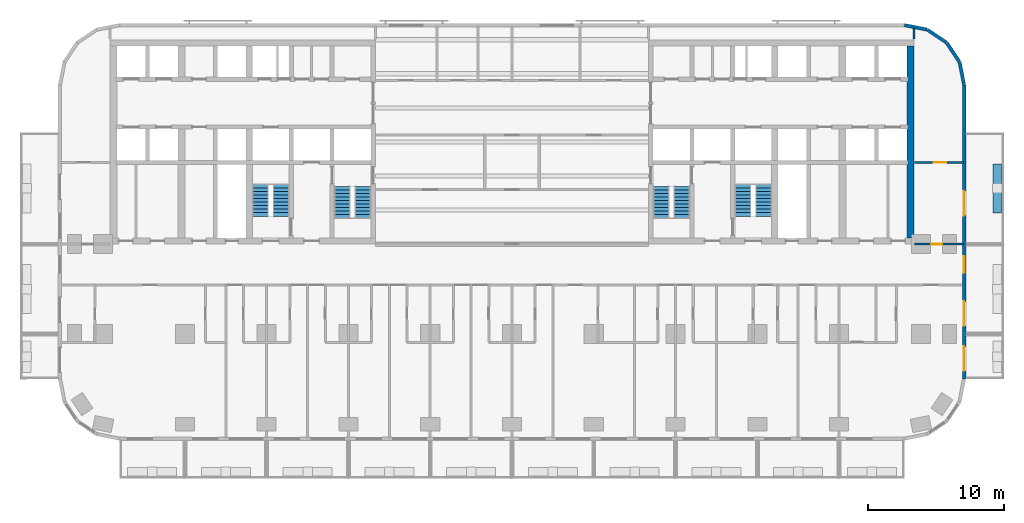
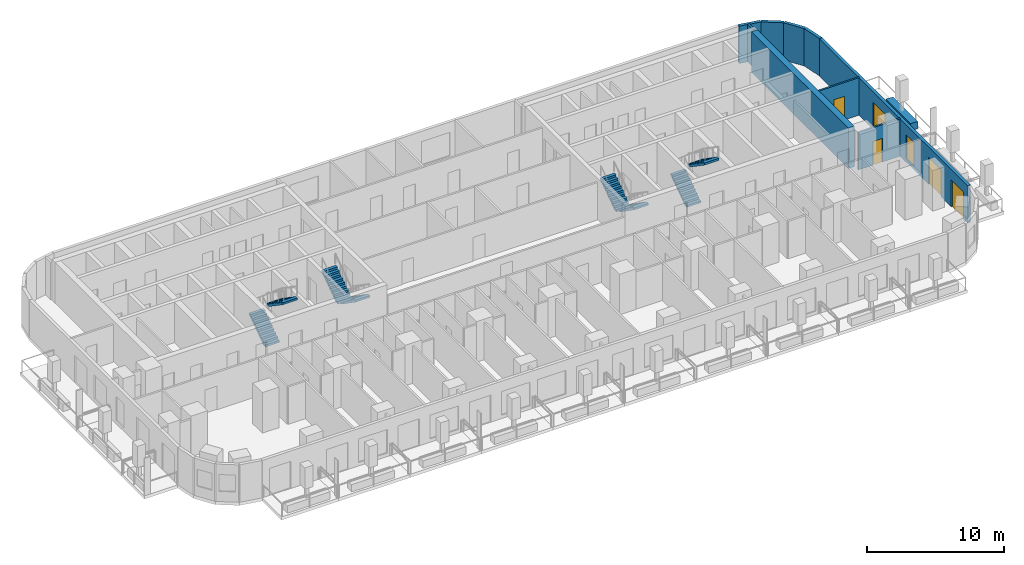
# One storey, part 9 of 14: 10 walls, 8 stair flights, 5 doors, 1 window, 6 openings, 4 elements without a shape of their own.
"""IFC4 building model written with IfcOpenShell, lengths in metres."""

from ifc_helpers import new_model, si_unit, direction, frame, frame_2d, origin, place, context, subcontext, project, spatial, polyline, rectangle, outline, extrude, material, layer, layer_set, type_object, element, fill, aggregate, save


model = new_model("IFC4")

# Units and contexts
model_context = context("Model", 3, precision=1e-05, world=origin(), true_north=direction((0.0, 1.0)))
body_context = subcontext(model_context, "Body", "Model", "MODEL_VIEW")
ifc_project = project(units=[si_unit("LENGTHUNIT", "METRE"), si_unit("AREAUNIT", "SQUARE_METRE"), si_unit("VOLUMEUNIT", "CUBIC_METRE"), si_unit("PLANEANGLEUNIT", "RADIAN"), si_unit("MASSUNIT", "GRAM", prefix="KILO")], contexts=[model_context])

# Site, building, storey
site_placement = place(None, origin())
site = spatial("IfcSite", under=ifc_project, at=site_placement, CompositionType="ELEMENT")
building_placement = place(site_placement, origin())
building = spatial("IfcBuilding", under=site, at=building_placement, Name="Torana Hotel and Residences", CompositionType="ELEMENT")
storey_placement = place(building_placement, frame((0.0, 0.0, 38.39990234375)))
storey = spatial("IfcBuildingStorey", under=building, at=storey_placement, Name="L08", CompositionType="ELEMENT", Elevation=38.39990234375)

# Walls
ifc_material_1 = material(Name="Concrete C80/95", Category="concrete")
ifc_layer_1 = layer(ifc_material_1, 0.5)
ifc_layer_set_1 = layer_set([ifc_layer_1], Name="CORE WALL 500 C80/95")
wall_type_1 = type_object("IfcWallType", Name="CORE WALL 500 C80/95", PredefinedType="SHEAR", material=ifc_layer_set_1)
wall_1_placement = place(storey_placement, frame((29.25, -14.550048828125, 0.0), z_axis=(0.0, 0.0, 1.0), x_axis=(0.0, 1.0, 0.0)))
element("IfcWall", 1, at=wall_1_placement, inside=storey, type_object=wall_type_1, Name="Core wall E outer", PredefinedType="SHEAR", context=body_context, shape_type="SweptSolid", body=[
    extrude(rectangle(XDim=14.10009765625, YDim=0.5, at=frame_2d((7.050048828125, 0.0))), origin(), (0.0, 0.0, 1.0), 3.60009765625),
])
ifc_material_2 = material(Name="Black aluminium composite panel", Category="aluminium")
ifc_layer_2 = layer(ifc_material_2, 0.00390625, Name="Cladding", Category="cladding")
ifc_material_3 = material(Name="Ventilated air cavity")
ifc_layer_3 = layer(ifc_material_3, 0.0400390625, Name="Ventilated cavity", Category="cavity")
ifc_material_4 = material(Name="Mineral wool insulation")
ifc_layer_4 = layer(ifc_material_4, 0.090087890625, Name="Insulation", Category="insulation")
ifc_material_5 = material(Name="Steel S280GD", Category="steel")
ifc_layer_5 = layer(ifc_material_5, 0.092041015625, Name="Steel stud frame", Category="structure")
ifc_material_6 = material(Name="Fire rated plasterboard")
ifc_layer_6 = layer(ifc_material_6, 0.011962890625, Name="Inner board", Category="finish")
ifc_layer_7 = layer(ifc_material_6, 0.011962890625, Name="Second board", Category="finish")
ifc_layer_set_2 = layer_set([ifc_layer_2, ifc_layer_3, ifc_layer_4, ifc_layer_5, ifc_layer_6, ifc_layer_7], Name="EW1 EXTERNAL WALL BLACK METAL CLAD 250")
wall_type_2 = type_object("IfcWallType", Name="EW1 EXTERNAL WALL BLACK METAL CLAD 250", PredefinedType="SOLIDWALL", material=ifc_layer_set_2)
wall_2_placement = place(storey_placement, frame((33.172607421875, -3.30029296875, 0.0), z_axis=(0.0, 0.0, 1.0), x_axis=(-0.19513878023, 0.980775640221, 0.0)))
element("IfcWall", 2, at=wall_2_placement, inside=storey, type_object=wall_type_2, Name="External wall L08 e0.0", PredefinedType="SOLIDWALL", context=body_context, shape_type="SweptSolid", body=[
    extrude(rectangle(XDim=1.681396484375, YDim=0.25, at=frame_2d((0.8408203125, 0.0))), origin(), (0.0, 0.0, 1.0), 3.320068359375),
])
for number, where, z_axis, x_axis, name in (
    (3, (32.825927734375, -1.60595703125, 0.0), (0.0, 0.0, 1.0), (-0.55555029066, 0.831482937015, 0.0), "External wall L08 e0.1"),
    (4, (31.87109375, -0.1943359375, 0.0), (0.0, 0.0, 1.0), (-0.831482937015, 0.55555029066, 0.0), "External wall L08 e0.2"),
):
    element("IfcWall", number, at=place(storey_placement, frame(where, z_axis=z_axis, x_axis=x_axis)), inside=storey, type_object=wall_type_2, Name=name, PredefinedType="SOLIDWALL", context=body_context, shape_type="SweptSolid", body=[
        extrude(rectangle(XDim=1.65625, YDim=0.25, at=frame_2d((0.828125, 0.0))), origin(), (0.0, 0.0, 1.0), 3.320068359375),
    ])
wall_3_placement = place(storey_placement, frame((30.448974609375, 0.74462890625, 0.0), z_axis=(0.0, 0.0, 1.0), x_axis=(-0.980803419081, 0.194999110559, 0.0)))
element("IfcWall", 5, at=wall_3_placement, inside=storey, type_object=wall_type_2, Name="External wall L08 e0.3", PredefinedType="SOLIDWALL", context=body_context, shape_type="SweptSolid", body=[
    extrude(rectangle(XDim=1.681396484375, YDim=0.25, at=frame_2d((0.8408203125, 0.0))), origin(), (0.0, 0.0, 1.0), 3.320068359375),
])

# Wall, openings, doors, window
wall_4_placement = place(storey_placement, frame((33.175048828125, -24.87548828125, 0.0), z_axis=(0.0, 0.0, 1.0), x_axis=(0.0, 1.0, 0.0)))
wall_4 = element("IfcWall", 6, at=wall_4_placement, inside=storey, type_object=wall_type_2, Name="External wall L08 e0.19", PredefinedType="SOLIDWALL", context=body_context, shape_type="SweptSolid", body=[
    extrude(rectangle(XDim=21.55078125, YDim=0.25, at=frame_2d((10.775390625, 0.0))), origin(), (0.0, 0.0, 1.0), 3.320068359375),
])
opening_1_placement = place(wall_4_placement, frame((0.575439453125, 0.0, 0.0)))
opening_1 = element("IfcOpeningElement", 7, at=opening_1_placement, cuts=wall_4, Name="Opening L08-E11", PredefinedType="OPENING", context=body_context, shape_type="SweptSolid", body=[
    extrude(rectangle(XDim=1.800048828125, YDim=2.39990234375, at=frame_2d((0.89990234375, 1.199951171875))), frame((0.0, 0.135009765625, 0.0), z_axis=(0.0, -1.0, 0.0), x_axis=(1.0, 0.0, 0.0)), (0.0, 0.0, 1.0), 0.27001953125),
])
opening_2_placement = place(wall_4_placement, frame((3.87548828125, 0.0, 0.0)))
opening_2 = element("IfcOpeningElement", 8, at=opening_2_placement, cuts=wall_4, Name="Opening L08-E12", PredefinedType="OPENING", context=body_context, shape_type="SweptSolid", body=[
    extrude(rectangle(XDim=1.800048828125, YDim=2.39990234375, at=frame_2d((0.89990234375, 1.199951171875))), frame((0.0, 0.135009765625, 0.0), z_axis=(0.0, -1.0, 0.0), x_axis=(1.0, 0.0, 0.0)), (0.0, 0.0, 1.0), 0.27001953125),
])
opening_3_placement = place(wall_4_placement, frame((7.775390625, 0.0, 0.300048828125)))
opening_3 = element("IfcOpeningElement", 9, at=opening_3_placement, cuts=wall_4, Name="Opening W7", PredefinedType="OPENING", context=body_context, shape_type="SweptSolid", body=[
    extrude(rectangle(XDim=1.199951171875, YDim=2.10009765625, at=frame_2d((0.60009765625, 1.050048828125))), frame((0.0, 0.135009765625, 0.0), z_axis=(0.0, -1.0, 0.0), x_axis=(1.0, 0.0, 0.0)), (0.0, 0.0, 1.0), 0.27001953125),
])
opening_4_placement = place(wall_4_placement, frame((11.975341796875, 0.0, 0.0)))
opening_4 = element("IfcOpeningElement", 10, at=opening_4_placement, cuts=wall_4, Name="Opening L08-E13", PredefinedType="OPENING", context=body_context, shape_type="SweptSolid", body=[
    extrude(rectangle(XDim=1.800048828125, YDim=2.39990234375, at=frame_2d((0.89990234375, 1.199951171875))), frame((0.0, 0.135009765625, 0.0), z_axis=(0.0, -1.0, 0.0), x_axis=(1.0, 0.0, 0.0)), (0.0, 0.0, 1.0), 0.27001953125),
])
ifc_material_7 = material(Name="Dark glass in black aluminium frame", Category="aluminium")
door_type_1 = type_object("IfcDoorType", Name="DB1 BALCONY DOOR 1800x2400", OperationType="DOUBLE_DOOR_SINGLE_SWING", PredefinedType="DOOR", material=ifc_material_7)
door_1_placement = place(opening_1_placement, origin())
door_1 = element("IfcDoor", 11, at=door_1_placement, inside=storey, type_object=door_type_1, Name="Balcony door L08", OperationType="DOUBLE_DOOR_SINGLE_SWING", OverallHeight=2.39990234375, OverallWidth=1.800048828125, PredefinedType="DOOR", context=body_context, shape_type="SweptSolid", body=[
    extrude(rectangle(XDim=1.800048828125, YDim=2.39990234375, at=frame_2d((0.89990234375, 1.199951171875))), frame((0.0, 0.02490234375, 0.0), z_axis=(0.0, -1.0, 0.0), x_axis=(1.0, 0.0, 0.0)), (0.0, 0.0, 1.0), 0.050048828125),
])
fill(opening_1, door_1)
door_2_placement = place(opening_2_placement, frame((0.89990234375, 0.0, 0.0), z_axis=(0.0, 0.0, 1.0), x_axis=(-1.0, 0.0, 0.0)))
door_2 = element("IfcDoor", 12, at=door_2_placement, inside=storey, type_object=door_type_1, Name="Balcony door L08", OperationType="DOUBLE_DOOR_SINGLE_SWING", OverallHeight=2.39990234375, OverallWidth=1.800048828125, PredefinedType="DOOR", context=body_context, shape_type="SweptSolid", body=[
    extrude(rectangle(XDim=1.800048828125, YDim=2.39990234375, at=frame_2d((0.0, 1.199951171875))), frame((0.0, -0.02490234375, 0.0), z_axis=(0.0, 1.0, 0.0), x_axis=(-1.0, 0.0, 0.0)), (0.0, 0.0, 1.0), 0.050048828125),
])
fill(opening_2, door_2)
door_3_placement = place(opening_4_placement, origin())
door_3 = element("IfcDoor", 13, at=door_3_placement, inside=storey, type_object=door_type_1, Name="Balcony door L08", OperationType="DOUBLE_DOOR_SINGLE_SWING", OverallHeight=2.39990234375, OverallWidth=1.800048828125, PredefinedType="DOOR", context=body_context, shape_type="SweptSolid", body=[
    extrude(rectangle(XDim=1.800048828125, YDim=2.39990234375, at=frame_2d((0.89990234375, 1.199951171875))), frame((0.0, 0.02490234375, 0.0), z_axis=(0.0, -1.0, 0.0), x_axis=(1.0, 0.0, 0.0)), (0.0, 0.0, 1.0), 0.050048828125),
])
fill(opening_4, door_3)
ifc_material_8 = material(Name="Dark glass in black aluminium frame", Category="aluminium")
window_type = type_object("IfcWindowType", Name="W7 HOTEL CORRIDOR WINDOW 1200x2100", PartitioningType="SINGLE_PANEL", PredefinedType="WINDOW", material=ifc_material_8)
window_placement = place(opening_3_placement, origin())
window = element("IfcWindow", 14, at=window_placement, inside=storey, type_object=window_type, Name="Window L08", OverallHeight=2.10009765625, OverallWidth=1.199951171875, PartitioningType="SINGLE_PANEL", PredefinedType="WINDOW", context=body_context, shape_type="SweptSolid", body=[
    extrude(rectangle(XDim=1.199951171875, YDim=2.10009765625, at=frame_2d((0.60009765625, 1.050048828125))), frame((0.0, 0.030029296875, 0.0), z_axis=(0.0, -1.0, 0.0), x_axis=(1.0, 0.0, 0.0)), (0.0, 0.0, 1.0), 0.06005859375),
])
fill(opening_3, window)

# Wall, opening, door
ifc_material_9 = material(Name="Gypsum plaster")
ifc_layer_8 = layer(ifc_material_9, 0.014892578125, Name="Plaster", Category="finish")
ifc_material_10 = material(Name="Concrete blockwork", Category="masonry")
ifc_layer_9 = layer(ifc_material_10, 0.1201171875, Name="Blockwork", Category="structure")
ifc_layer_10 = layer(ifc_material_9, 0.014892578125, Name="Plaster", Category="finish")
ifc_layer_set_3 = layer_set([ifc_layer_8, ifc_layer_9, ifc_layer_10], Name="FIRE PARTITION 150 BLOCKWORK")
wall_type_3 = type_object("IfcWallType", Name="FIRE PARTITION 150 BLOCKWORK", PredefinedType="PARTITIONING", material=ifc_layer_set_3)
wall_5_placement = place(storey_placement, frame((29.550048828125, -15.0, 0.0), z_axis=(0.0, 0.0, 1.0), x_axis=(1.0, 0.0, 0.0)))
wall_5 = element("IfcWall", 15, at=wall_5_placement, inside=storey, type_object=wall_type_3, Name="Partition L08", PredefinedType="PARTITIONING", context=body_context, shape_type="SweptSolid", body=[
    extrude(rectangle(XDim=3.570068359375, YDim=0.14990234375, at=frame_2d((1.78515625, 0.0))), origin(), (0.0, 0.0, 1.0), 3.320068359375),
])
opening_5_placement = place(wall_5_placement, frame((1.205078125, 0.0, 0.0)))
opening_5 = element("IfcOpeningElement", 16, at=opening_5_placement, cuts=wall_5, Name="Opening L08-54", PredefinedType="OPENING", context=body_context, shape_type="SweptSolid", body=[
    extrude(rectangle(XDim=0.800048828125, YDim=2.10009765625, at=frame_2d((0.39990234375, 1.050048828125))), frame((0.0, 0.0849609375, 0.0), z_axis=(0.0, -1.0, 0.0), x_axis=(1.0, 0.0, 0.0)), (0.0, 0.0, 1.0), 0.169921875),
])
ifc_material_11 = material(Name="Steel S235", Category="steel")
door_type_2 = type_object("IfcDoorType", Name="STORE FIRE DOOR D16 800x2100", OperationType="SINGLE_SWING_LEFT", PredefinedType="DOOR", material=ifc_material_11)
door_4_placement = place(opening_5_placement, origin())
door_4 = element("IfcDoor", 17, at=door_4_placement, inside=storey, type_object=door_type_2, Name="Door L08", OperationType="SINGLE_SWING_RIGHT", OverallHeight=2.10009765625, OverallWidth=0.800048828125, PredefinedType="DOOR", context=body_context, shape_type="SweptSolid", body=[
    extrude(rectangle(XDim=0.800048828125, YDim=2.10009765625, at=frame_2d((0.39990234375, 1.050048828125))), frame((0.0, 0.02490234375, 0.0), z_axis=(0.0, -1.0, 0.0), x_axis=(1.0, 0.0, 0.0)), (0.0, 0.0, 1.0), 0.050048828125),
])
fill(opening_5, door_4)

# Wall
ifc_material_12 = material(Name="Gypsum plasterboard")
ifc_layer_11 = layer(ifc_material_12, 0.012451171875, Name="Plasterboard", Category="finish")
ifc_layer_12 = layer(ifc_material_12, 0.012451171875, Name="Plasterboard", Category="finish")
ifc_layer_13 = layer(ifc_material_5, 0.10009765625, Name="Steel studs with mineral wool", Category="insulation")
ifc_layer_14 = layer(ifc_material_12, 0.012451171875, Name="Plasterboard", Category="finish")
ifc_layer_15 = layer(ifc_material_12, 0.012451171875, Name="Plasterboard", Category="finish")
ifc_layer_set_4 = layer_set([ifc_layer_11, ifc_layer_12, ifc_layer_13, ifc_layer_14, ifc_layer_15], Name="PARTITION 150 PLASTERBOARD")
wall_type_4 = type_object("IfcWallType", Name="PARTITION 150 PLASTERBOARD", PredefinedType="PARTITIONING", material=ifc_layer_set_4)
wall_6_placement = place(storey_placement, frame((29.5, 0.050048828125, 0.0), z_axis=(0.0, 0.0, 1.0), x_axis=(0.0, 1.0, 0.0)))
element("IfcWall", 18, at=wall_6_placement, inside=storey, type_object=wall_type_4, Name="Partition L08", PredefinedType="PARTITIONING", context=body_context, shape_type="SweptSolid", body=[
    extrude(rectangle(XDim=0.8271484375, YDim=0.14990234375, at=frame_2d((0.41357421875, 0.0))), origin(), (0.0, 0.0, 1.0), 3.320068359375),
])

# Wall, opening, door
wall_7_placement = place(storey_placement, frame((29.550048828125, -9.0, 0.0), z_axis=(0.0, 0.0, 1.0), x_axis=(1.0, 0.0, 0.0)))
wall_7 = element("IfcWall", 19, at=wall_7_placement, inside=storey, type_object=wall_type_4, Name="Partition L08", PredefinedType="PARTITIONING", context=body_context, shape_type="SweptSolid", body=[
    extrude(rectangle(XDim=3.570068359375, YDim=0.14990234375, at=frame_2d((1.78515625, 0.0))), origin(), (0.0, 0.0, 1.0), 3.320068359375),
])
opening_6_placement = place(wall_7_placement, frame((1.39990234375, 0.0, 0.0)))
opening_6 = element("IfcOpeningElement", 20, at=opening_6_placement, cuts=wall_7, Name="Opening L08-83", PredefinedType="OPENING", context=body_context, shape_type="SweptSolid", body=[
    extrude(rectangle(XDim=0.89990234375, YDim=2.10009765625, at=frame_2d((0.449951171875, 1.050048828125))), frame((0.0, 0.0849609375, 0.0), z_axis=(0.0, -1.0, 0.0), x_axis=(1.0, 0.0, 0.0)), (0.0, 0.0, 1.0), 0.169921875),
])
ifc_material_13 = material(Name="Timber door, oiled ash", Category="wood")
door_type_3 = type_object("IfcDoorType", Name="ROOM DOOR D7 900x2100", OperationType="SINGLE_SWING_LEFT", PredefinedType="DOOR", material=ifc_material_13)
door_5_placement = place(opening_6_placement, origin())
door_5 = element("IfcDoor", 21, at=door_5_placement, inside=storey, type_object=door_type_3, Name="Door L08", OperationType="SINGLE_SWING_LEFT", OverallHeight=2.10009765625, OverallWidth=0.89990234375, PredefinedType="DOOR", context=body_context, shape_type="SweptSolid", body=[
    extrude(rectangle(XDim=0.89990234375, YDim=2.10009765625, at=frame_2d((0.449951171875, 1.050048828125))), frame((0.0, 0.02490234375, 0.0), z_axis=(0.0, -1.0, 0.0), x_axis=(1.0, 0.0, 0.0)), (0.0, 0.0, 1.0), 0.050048828125),
])
fill(opening_6, door_5)

# Wall
ifc_material_14 = material(Name="Concrete C40/50 precast", Category="concrete")
ifc_layer_16 = layer(ifc_material_14, 0.10009765625, Name="Planter shell", Category="structure")
ifc_material_15 = material(Name="Root resistant membrane")
ifc_layer_17 = layer(ifc_material_15, 0.00390625, Name="Waterproofing membrane", Category="membrane")
ifc_material_16 = material(Name="Drainage board with filter fleece")
ifc_layer_18 = layer(ifc_material_16, 0.02001953125, Name="Drainage board", Category="drainage")
ifc_material_17 = material(Name="Growing medium")
ifc_layer_19 = layer(ifc_material_17, 0.47607421875, Name="Planting substrate", Category="soil")
ifc_layer_set_5 = layer_set([ifc_layer_16, ifc_layer_17, ifc_layer_18, ifc_layer_19], Name="PL1 BALCONY PLANTER 600")
wall_type_5 = type_object("IfcWallType", Name="PL1 BALCONY PLANTER 600", PredefinedType="USERDEFINED", material=ifc_layer_set_5)
wall_8_placement = place(storey_placement, frame((35.60009765625, -9.10009765625, 0.0), z_axis=(0.0, 0.0, 1.0), x_axis=(0.0, -1.0, 0.0)))
element("IfcWall", 22, at=wall_8_placement, inside=storey, type_object=wall_type_5, Name="Planter 16", ObjectType="PLANTER", PredefinedType="USERDEFINED", context=body_context, shape_type="SweptSolid", body=[
    extrude(rectangle(XDim=3.599853515625, YDim=0.60009765625, at=frame_2d((1.7998046875, 0.0))), origin(), (0.0, 0.0, 1.0), 0.650146484375),
])

# Stair, stair flights
ifc_material_18 = material(Name="Concrete C40/50 precast", Category="concrete")
stair_type_1 = type_object("IfcStairType", Name="STAIR ST1 HALF TURN 1200", PredefinedType="HALF_TURN_STAIR", material=ifc_material_18)
stair_1_placement = place(storey_placement, origin())
stair_1 = element("IfcStair", 23, at=stair_1_placement, inside=storey, type_object=stair_type_1, Name="Stair ST1 L08", PredefinedType="HALF_TURN_STAIR")
ifc_material_19 = material(Name="Concrete C40/50 precast", Category="concrete")
stair_flight_type = type_object("IfcStairFlightType", Name="STAIR FLIGHT 1200 PRECAST", PredefinedType="STRAIGHT", material=ifc_material_19)
stair_flight_1_placement = place(storey_placement, frame((-10.949951171875, -10.75, 0.0), z_axis=(0.0, 0.0, 1.0), x_axis=(0.0, -1.0, 0.0)))
stair_flight_1 = element("IfcStairFlight", 24, at=stair_flight_1_placement, type_object=stair_flight_type, Name="ST1 flight 1", NumberOfRisers=10, NumberOfTreads=9, PredefinedType="STRAIGHT", RiserHeight=0.18, TreadLength=0.26, context=body_context, shape_type="SweptSolid", body=[
    extrude(outline(polyline([(0.0, 0.0), (0.0, 0.179931640625), (0.260009765625, 0.179931640625), (0.260009765625, 0.360107421875), (0.52001953125, 0.360107421875), (0.52001953125, 0.5400390625), (0.780029296875, 0.5400390625), (0.780029296875, 0.719970703125), (1.0400390625, 0.719970703125), (1.0400390625, 0.89990234375), (1.300048828125, 0.89990234375), (1.300048828125, 1.080078125), (1.56005859375, 1.080078125), (1.56005859375, 1.260009765625), (1.820068359375, 1.260009765625), (1.820068359375, 1.43994140625), (2.080078125, 1.43994140625), (2.080078125, 1.6201171875), (2.340087890625, 1.6201171875), (2.340087890625, 1.800048828125), (2.340087890625, 1.437744140625), (0.263427734375, 0.0), (0.0, 0.0)])), frame((0.0, 0.60009765625, 0.0), z_axis=(0.0, -1.0, 0.0), x_axis=(1.0, 0.0, 0.0)), (0.0, 0.0, 1.0), 1.199951171875),
])
stair_flight_2_placement = place(storey_placement, frame((-12.449951171875, -13.090087890625, 1.800048828125), z_axis=(0.0, 0.0, 1.0), x_axis=(0.0, 1.0, 0.0)))
stair_flight_2 = element("IfcStairFlight", 25, at=stair_flight_2_placement, type_object=stair_flight_type, Name="ST1 flight 2", NumberOfRisers=10, NumberOfTreads=9, PredefinedType="STRAIGHT", RiserHeight=0.18, TreadLength=0.26, context=body_context, shape_type="SweptSolid", body=[
    extrude(outline(polyline([(0.0, 0.0), (0.0, 0.179931640625), (0.260009765625, 0.179931640625), (0.260009765625, 0.360107421875), (0.52001953125, 0.360107421875), (0.52001953125, 0.5400390625), (0.780029296875, 0.5400390625), (0.780029296875, 0.719970703125), (1.0400390625, 0.719970703125), (1.0400390625, 0.89990234375), (1.300048828125, 0.89990234375), (1.300048828125, 1.080078125), (1.56005859375, 1.080078125), (1.56005859375, 1.260009765625), (1.820068359375, 1.260009765625), (1.820068359375, 1.43994140625), (2.080078125, 1.43994140625), (2.080078125, 1.6201171875), (2.340087890625, 1.6201171875), (2.340087890625, 1.800048828125), (2.340087890625, 1.437744140625), (0.263427734375, 0.0), (0.0, 0.0)])), frame((0.0, 0.60009765625, 0.0), z_axis=(0.0, -1.0, 0.0), x_axis=(1.0, 0.0, 0.0)), (0.0, 0.0, 1.0), 1.199951171875),
])
aggregate(stair_1, [stair_flight_1, stair_flight_2])

ifc_material_20 = material(Name="Concrete C40/50 precast", Category="concrete")
stair_type_2 = type_object("IfcStairType", Name="STAIR ST2 HALF TURN 1200", PredefinedType="HALF_TURN_STAIR", material=ifc_material_20)
stair_2_placement = place(storey_placement, origin())
stair_2 = element("IfcStair", 26, at=stair_2_placement, inside=storey, type_object=stair_type_2, Name="Stair ST2 L08", PredefinedType="HALF_TURN_STAIR")
stair_flight_3_placement = place(storey_placement, frame((-18.449951171875, -12.949951171875, 0.0), z_axis=(0.0, 0.0, 1.0), x_axis=(0.0, 1.0, 0.0)))
stair_flight_3 = element("IfcStairFlight", 27, at=stair_flight_3_placement, type_object=stair_flight_type, Name="ST2 flight 1", NumberOfRisers=10, NumberOfTreads=9, PredefinedType="STRAIGHT", RiserHeight=0.18, TreadLength=0.26, context=body_context, shape_type="SweptSolid", body=[
    extrude(outline(polyline([(0.0, 0.0), (0.0, 0.179931640625), (0.260009765625, 0.179931640625), (0.260009765625, 0.360107421875), (0.52001953125, 0.360107421875), (0.52001953125, 0.5400390625), (0.780029296875, 0.5400390625), (0.780029296875, 0.719970703125), (1.0400390625, 0.719970703125), (1.0400390625, 0.89990234375), (1.300048828125, 0.89990234375), (1.300048828125, 1.080078125), (1.56005859375, 1.080078125), (1.56005859375, 1.260009765625), (1.820068359375, 1.260009765625), (1.820068359375, 1.43994140625), (2.080078125, 1.43994140625), (2.080078125, 1.6201171875), (2.340087890625, 1.6201171875), (2.340087890625, 1.800048828125), (2.340087890625, 1.437744140625), (0.263427734375, 0.0), (0.0, 0.0)])), frame((0.0, 0.60009765625, 0.0), z_axis=(0.0, -1.0, 0.0), x_axis=(1.0, 0.0, 0.0)), (0.0, 0.0, 1.0), 1.199951171875),
])
stair_flight_4_placement = place(storey_placement, frame((-16.949951171875, -10.610107421875, 1.800048828125), z_axis=(0.0, 0.0, 1.0), x_axis=(0.0, -1.0, 0.0)))
stair_flight_4 = element("IfcStairFlight", 28, at=stair_flight_4_placement, type_object=stair_flight_type, Name="ST2 flight 2", NumberOfRisers=10, NumberOfTreads=9, PredefinedType="STRAIGHT", RiserHeight=0.18, TreadLength=0.26, context=body_context, shape_type="SweptSolid", body=[
    extrude(outline(polyline([(0.0, 0.0), (0.0, 0.179931640625), (0.260009765625, 0.179931640625), (0.260009765625, 0.360107421875), (0.52001953125, 0.360107421875), (0.52001953125, 0.5400390625), (0.780029296875, 0.5400390625), (0.780029296875, 0.719970703125), (1.0400390625, 0.719970703125), (1.0400390625, 0.89990234375), (1.300048828125, 0.89990234375), (1.300048828125, 1.080078125), (1.56005859375, 1.080078125), (1.56005859375, 1.260009765625), (1.820068359375, 1.260009765625), (1.820068359375, 1.43994140625), (2.080078125, 1.43994140625), (2.080078125, 1.6201171875), (2.340087890625, 1.6201171875), (2.340087890625, 1.800048828125), (2.340087890625, 1.437744140625), (0.263427734375, 0.0), (0.0, 0.0)])), frame((0.0, 0.60009765625, 0.0), z_axis=(0.0, -1.0, 0.0), x_axis=(1.0, 0.0, 0.0)), (0.0, 0.0, 1.0), 1.199951171875),
])
aggregate(stair_2, [stair_flight_3, stair_flight_4])

ifc_material_21 = material(Name="Concrete C40/50 precast", Category="concrete")
stair_type_3 = type_object("IfcStairType", Name="STAIR ST3 HALF TURN 1200", PredefinedType="HALF_TURN_STAIR", material=ifc_material_21)
stair_3_placement = place(storey_placement, origin())
stair_3 = element("IfcStair", 29, at=stair_3_placement, inside=storey, type_object=stair_type_3, Name="Stair ST3 L08", PredefinedType="HALF_TURN_STAIR")
stair_flight_5_placement = place(storey_placement, frame((12.449951171875, -10.75, 0.0), z_axis=(0.0, 0.0, 1.0), x_axis=(0.0, -1.0, 0.0)))
stair_flight_5 = element("IfcStairFlight", 30, at=stair_flight_5_placement, type_object=stair_flight_type, Name="ST3 flight 1", NumberOfRisers=10, NumberOfTreads=9, PredefinedType="STRAIGHT", RiserHeight=0.18, TreadLength=0.26, context=body_context, shape_type="SweptSolid", body=[
    extrude(outline(polyline([(0.0, 0.0), (0.0, 0.179931640625), (0.260009765625, 0.179931640625), (0.260009765625, 0.360107421875), (0.52001953125, 0.360107421875), (0.52001953125, 0.5400390625), (0.780029296875, 0.5400390625), (0.780029296875, 0.719970703125), (1.0400390625, 0.719970703125), (1.0400390625, 0.89990234375), (1.300048828125, 0.89990234375), (1.300048828125, 1.080078125), (1.56005859375, 1.080078125), (1.56005859375, 1.260009765625), (1.820068359375, 1.260009765625), (1.820068359375, 1.43994140625), (2.080078125, 1.43994140625), (2.080078125, 1.6201171875), (2.340087890625, 1.6201171875), (2.340087890625, 1.800048828125), (2.340087890625, 1.437744140625), (0.263427734375, 0.0), (0.0, 0.0)])), frame((0.0, 0.60009765625, 0.0), z_axis=(0.0, -1.0, 0.0), x_axis=(1.0, 0.0, 0.0)), (0.0, 0.0, 1.0), 1.199951171875),
])
stair_flight_6_placement = place(storey_placement, frame((10.949951171875, -13.090087890625, 1.800048828125), z_axis=(0.0, 0.0, 1.0), x_axis=(0.0, 1.0, 0.0)))
stair_flight_6 = element("IfcStairFlight", 31, at=stair_flight_6_placement, type_object=stair_flight_type, Name="ST3 flight 2", NumberOfRisers=10, NumberOfTreads=9, PredefinedType="STRAIGHT", RiserHeight=0.18, TreadLength=0.26, context=body_context, shape_type="SweptSolid", body=[
    extrude(outline(polyline([(0.0, 0.0), (0.0, 0.179931640625), (0.260009765625, 0.179931640625), (0.260009765625, 0.360107421875), (0.52001953125, 0.360107421875), (0.52001953125, 0.5400390625), (0.780029296875, 0.5400390625), (0.780029296875, 0.719970703125), (1.0400390625, 0.719970703125), (1.0400390625, 0.89990234375), (1.300048828125, 0.89990234375), (1.300048828125, 1.080078125), (1.56005859375, 1.080078125), (1.56005859375, 1.260009765625), (1.820068359375, 1.260009765625), (1.820068359375, 1.43994140625), (2.080078125, 1.43994140625), (2.080078125, 1.6201171875), (2.340087890625, 1.6201171875), (2.340087890625, 1.800048828125), (2.340087890625, 1.437744140625), (0.263427734375, 0.0), (0.0, 0.0)])), frame((0.0, 0.60009765625, 0.0), z_axis=(0.0, -1.0, 0.0), x_axis=(1.0, 0.0, 0.0)), (0.0, 0.0, 1.0), 1.199951171875),
])
aggregate(stair_3, [stair_flight_5, stair_flight_6])

ifc_material_22 = material(Name="Concrete C40/50 precast", Category="concrete")
stair_type_4 = type_object("IfcStairType", Name="STAIR ST4 HALF TURN 1200", PredefinedType="HALF_TURN_STAIR", material=ifc_material_22)
stair_4_placement = place(storey_placement, origin())
stair_4 = element("IfcStair", 32, at=stair_4_placement, inside=storey, type_object=stair_type_4, Name="Stair ST4 L08", PredefinedType="HALF_TURN_STAIR")
stair_flight_7_placement = place(storey_placement, frame((16.949951171875, -12.949951171875, 0.0), z_axis=(0.0, 0.0, 1.0), x_axis=(0.0, 1.0, 0.0)))
stair_flight_7 = element("IfcStairFlight", 33, at=stair_flight_7_placement, type_object=stair_flight_type, Name="ST4 flight 1", NumberOfRisers=10, NumberOfTreads=9, PredefinedType="STRAIGHT", RiserHeight=0.18, TreadLength=0.26, context=body_context, shape_type="SweptSolid", body=[
    extrude(outline(polyline([(0.0, 0.0), (0.0, 0.179931640625), (0.260009765625, 0.179931640625), (0.260009765625, 0.360107421875), (0.52001953125, 0.360107421875), (0.52001953125, 0.5400390625), (0.780029296875, 0.5400390625), (0.780029296875, 0.719970703125), (1.0400390625, 0.719970703125), (1.0400390625, 0.89990234375), (1.300048828125, 0.89990234375), (1.300048828125, 1.080078125), (1.56005859375, 1.080078125), (1.56005859375, 1.260009765625), (1.820068359375, 1.260009765625), (1.820068359375, 1.43994140625), (2.080078125, 1.43994140625), (2.080078125, 1.6201171875), (2.340087890625, 1.6201171875), (2.340087890625, 1.800048828125), (2.340087890625, 1.437744140625), (0.263427734375, 0.0), (0.0, 0.0)])), frame((0.0, 0.60009765625, 0.0), z_axis=(0.0, -1.0, 0.0), x_axis=(1.0, 0.0, 0.0)), (0.0, 0.0, 1.0), 1.199951171875),
])
stair_flight_8_placement = place(storey_placement, frame((18.449951171875, -10.610107421875, 1.800048828125), z_axis=(0.0, 0.0, 1.0), x_axis=(0.0, -1.0, 0.0)))
stair_flight_8 = element("IfcStairFlight", 34, at=stair_flight_8_placement, type_object=stair_flight_type, Name="ST4 flight 2", NumberOfRisers=10, NumberOfTreads=9, PredefinedType="STRAIGHT", RiserHeight=0.18, TreadLength=0.26, context=body_context, shape_type="SweptSolid", body=[
    extrude(outline(polyline([(0.0, 0.0), (0.0, 0.179931640625), (0.260009765625, 0.179931640625), (0.260009765625, 0.360107421875), (0.52001953125, 0.360107421875), (0.52001953125, 0.5400390625), (0.780029296875, 0.5400390625), (0.780029296875, 0.719970703125), (1.0400390625, 0.719970703125), (1.0400390625, 0.89990234375), (1.300048828125, 0.89990234375), (1.300048828125, 1.080078125), (1.56005859375, 1.080078125), (1.56005859375, 1.260009765625), (1.820068359375, 1.260009765625), (1.820068359375, 1.43994140625), (2.080078125, 1.43994140625), (2.080078125, 1.6201171875), (2.340087890625, 1.6201171875), (2.340087890625, 1.800048828125), (2.340087890625, 1.437744140625), (0.263427734375, 0.0), (0.0, 0.0)])), frame((0.0, 0.60009765625, 0.0), z_axis=(0.0, -1.0, 0.0), x_axis=(1.0, 0.0, 0.0)), (0.0, 0.0, 1.0), 1.199951171875),
])
aggregate(stair_4, [stair_flight_7, stair_flight_8])

save(model, "model.ifc")
